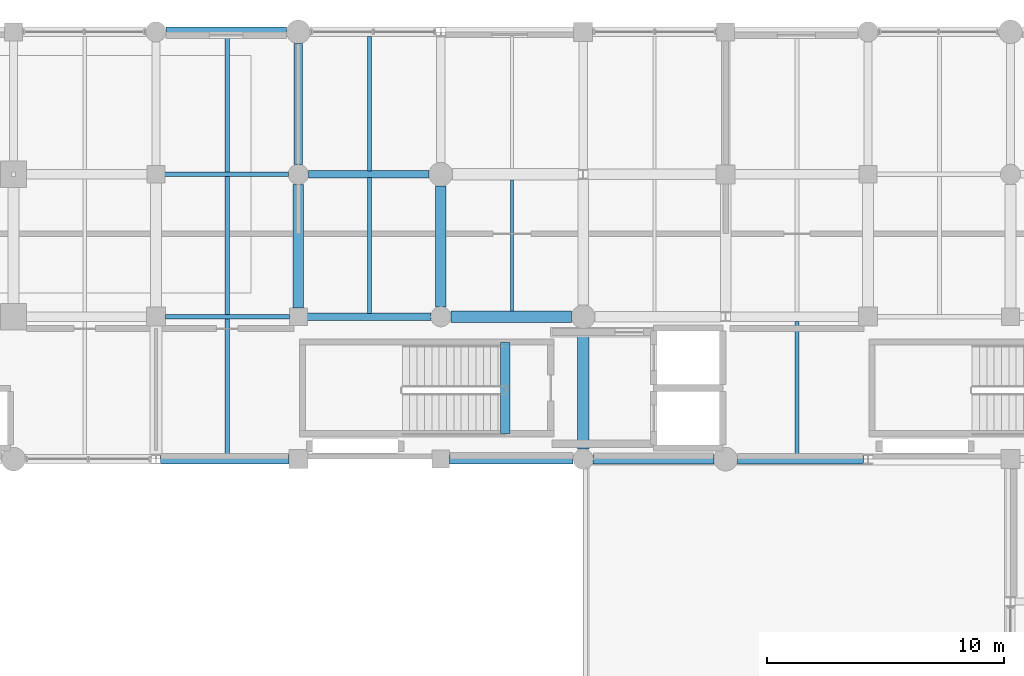
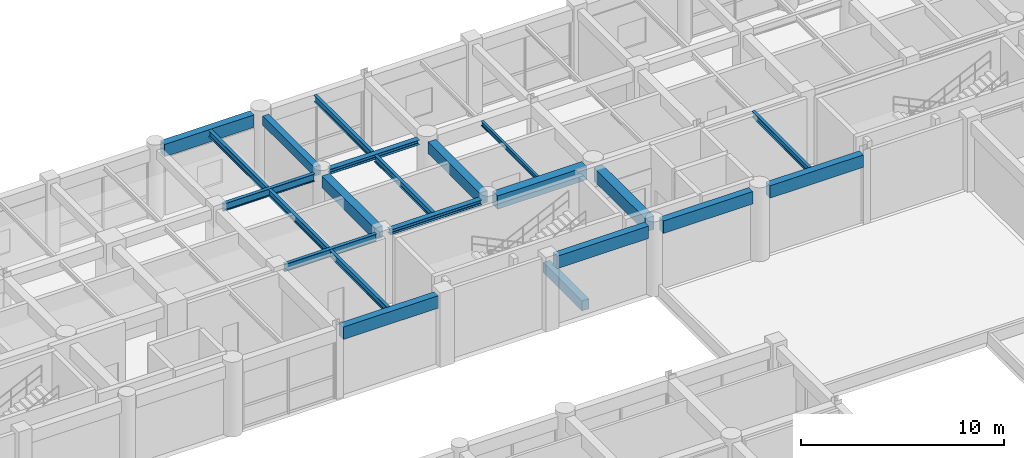
# One storey, part 78 of 133: 22 beams.
"""IFC4 building model written with IfcOpenShell, lengths in metres."""

from ifc_helpers import new_model, si_unit, direction, frame, origin, origin_2d, place, context, subcontext, project, spatial, rectangle, i_section, extrude, material, material_profile, profile_set, type_object, element, save


model = new_model("IFC4")

# Units and contexts
model_context = context("Model", 3, precision=1e-05, world=origin(), true_north=direction((0.0, 1.0)))
body_context = subcontext(model_context, "Body", "Model", "MODEL_VIEW")
ifc_project = project(units=[si_unit("LENGTHUNIT", "METRE"), si_unit("AREAUNIT", "SQUARE_METRE"), si_unit("VOLUMEUNIT", "CUBIC_METRE"), si_unit("PLANEANGLEUNIT", "RADIAN"), si_unit("MASSUNIT", "GRAM", prefix="KILO"), si_unit("THERMODYNAMICTEMPERATUREUNIT", "KELVIN"), si_unit("POWERUNIT", "WATT")], contexts=[model_context])

# Site, building, storey
site_placement = place(None, origin())
site = spatial("IfcSite", under=ifc_project, at=site_placement, CompositionType="ELEMENT")
building_placement = place(site_placement, origin())
building = spatial("IfcBuilding", under=site, at=building_placement, Name="Phaisarnlok Congress Hotel", CompositionType="ELEMENT")
storey_placement = place(building_placement, frame((0.0, 0.0, 6.0)))
storey = spatial("IfcBuildingStorey", under=building, at=storey_placement, Name="L01", CompositionType="ELEMENT", Elevation=6.0)

# Beams
ifc_material_1 = material(Name="Concrete C40/50", Category="concrete")
ifc_material_profile_1 = material_profile(ifc_material_1, rectangle(XDim=0.35009765625, YDim=0.550048828125, at=origin_2d()), Name="RC 350x550")
ifc_profile_set_1 = profile_set([ifc_material_profile_1], Name="Concrete C40/50")
beam_type_1 = type_object("IfcBeamType", Name="BM-RC-350x550", PredefinedType="BEAM", material=ifc_profile_set_1)
beam_1_placement = place(storey_placement, frame((132.0, 120.419921875, 3.945068359375), z_axis=(0.0, 1.0, 0.0), x_axis=(-1.0, 0.0, 0.0)))
element("IfcBeam", 1, at=beam_1_placement, inside=storey, type_object=beam_type_1, Name="Beam B-01", PredefinedType="BEAM", context=body_context, shape_type="SweptSolid", body=[
    extrude(rectangle(XDim=0.35009765625, YDim=0.550048828125, at=origin_2d()), origin(), (0.0, 0.0, 1.0), 5.0849609375),
])
ifc_material_profile_2 = material_profile(ifc_material_1, rectangle(XDim=0.39990234375, YDim=0.60009765625, at=origin_2d()), Name="RC 400x600")
ifc_profile_set_2 = profile_set([ifc_material_profile_2], Name="Concrete C40/50")
beam_type_2 = type_object("IfcBeamType", Name="BM-RC-400x600", PredefinedType="BEAM", material=ifc_profile_set_2)
beam_2_placement = place(storey_placement, frame((140.719970703125, 109.080078125, -0.300048828125), z_axis=(0.0, 1.0, 0.0), x_axis=(-1.0, 0.0, 0.0)))
element("IfcBeam", 2, at=beam_2_placement, inside=storey, type_object=beam_type_2, Name="Stair landing header beam B-02 (CORE-2 L01)", PredefinedType="BEAM", context=body_context, shape_type="SweptSolid", body=[
    extrude(rectangle(XDim=0.39990234375, YDim=0.60009765625, at=origin_2d()), origin(), (0.0, 0.0, 1.0), 3.83984375),
])
ifc_material_profile_3 = material_profile(ifc_material_1, rectangle(XDim=0.449951171875, YDim=0.699951171875, at=origin_2d()), Name="RC 450x700")
ifc_profile_set_3 = profile_set([ifc_material_profile_3], Name="Concrete C40/50")
beam_type_3 = type_object("IfcBeamType", Name="BM-RC-450x700", PredefinedType="BEAM", material=ifc_profile_set_3)
beam_3_placement = place(storey_placement, frame((132.0, 114.3701171875, 3.8701171875), z_axis=(0.0, 1.0, 0.0), x_axis=(-1.0, 0.0, 0.0)))
element("IfcBeam", 3, at=beam_3_placement, inside=storey, type_object=beam_type_3, Name="Beam B-03", PredefinedType="BEAM", context=body_context, shape_type="SweptSolid", body=[
    extrude(rectangle(XDim=0.449951171875, YDim=0.699951171875, at=origin_2d()), origin(), (0.0, 0.0, 1.0), 5.2099609375),
])
beam_4_placement = place(storey_placement, frame((138.0, 114.419921875, 3.8701171875), z_axis=(0.0, 1.0, 0.0), x_axis=(-1.0, 0.0, 0.0)))
element("IfcBeam", 4, at=beam_4_placement, inside=storey, type_object=beam_type_3, Name="Beam B-03", PredefinedType="BEAM", context=body_context, shape_type="SweptSolid", body=[
    extrude(rectangle(XDim=0.449951171875, YDim=0.699951171875, at=origin_2d()), origin(), (0.0, 0.0, 1.0), 5.0849609375),
])
ifc_material_profile_4 = material_profile(ifc_material_1, rectangle(XDim=0.5, YDim=0.800048828125, at=origin_2d()), Name="RC 500x800")
ifc_profile_set_4 = profile_set([ifc_material_profile_4], Name="Concrete C40/50")
beam_type_4 = type_object("IfcBeamType", Name="BM-RC-500x800", PredefinedType="BEAM", material=ifc_profile_set_4)
for number, where, z_axis, x_axis, name in (
    (5, (138.419921875, 114.0, 3.820068359375), (1.0, 0.0, 0.0), (0.0, 1.0, 0.0), "Beam B-04"),
    (6, (144.0, 108.419921875, 3.820068359375), (0.0, 1.0, 0.0), (-1.0, 0.0, 0.0), "Beam B-04"),
):
    element("IfcBeam", number, at=place(storey_placement, frame(where, z_axis=z_axis, x_axis=x_axis)), inside=storey, type_object=beam_type_4, Name=name, PredefinedType="BEAM", context=body_context, shape_type="SweptSolid", body=[
        extrude(rectangle(XDim=0.5, YDim=0.800048828125, at=origin_2d()), origin(), (0.0, 0.0, 1.0), 5.0849609375),
    ])
ifc_material_2 = material(Name="Steel S355", Category="steel")
ifc_material_profile_5 = material_profile(ifc_material_2, i_section(OverallWidth=0.300048828125, OverallDepth=0.2900390625, WebThickness=0.008544921875, FlangeThickness=0.013916015625, FilletRadius=0.027099609375, at=origin_2d()), Name="HEA 300")
ifc_profile_set_5 = profile_set([ifc_material_profile_5], Name="Steel S355")
beam_type_5 = type_object("IfcBeamType", Name="BM-STL-HEA300", PredefinedType="BEAM", material=ifc_profile_set_5)
beam_5_placement = place(storey_placement, frame((132.3701171875, 114.0, 4.074951171875), z_axis=(1.0, 0.0, 0.0), x_axis=(0.0, 1.0, 0.0)))
element("IfcBeam", 7, at=beam_5_placement, inside=storey, type_object=beam_type_5, Name="Beam SB-05", PredefinedType="BEAM", context=body_context, shape_type="SweptSolid", body=[
    extrude(i_section(OverallWidth=0.300048828125, OverallDepth=0.2900390625, WebThickness=0.008544921875, FlangeThickness=0.013916015625, FilletRadius=0.027099609375, at=origin_2d()), origin(), (0.0, 0.0, 1.0), 5.2099609375),
])
beam_6_placement = place(storey_placement, frame((132.419921875, 120.0, 4.074951171875), z_axis=(1.0, 0.0, 0.0), x_axis=(0.0, 1.0, 0.0)))
element("IfcBeam", 8, at=beam_6_placement, inside=storey, type_object=beam_type_5, Name="Beam SB-05", PredefinedType="BEAM", context=body_context, shape_type="SweptSolid", body=[
    extrude(i_section(OverallWidth=0.300048828125, OverallDepth=0.2900390625, WebThickness=0.008544921875, FlangeThickness=0.013916015625, FilletRadius=0.027099609375, at=origin_2d()), origin(), (0.0, 0.0, 1.0), 5.0849609375),
])
ifc_material_profile_6 = material_profile(ifc_material_2, i_section(OverallWidth=0.18994140625, OverallDepth=0.449951171875, WebThickness=0.009521484375, FlangeThickness=0.0146484375, FilletRadius=0.02099609375, at=origin_2d()), Name="IPE 450")
ifc_profile_set_6 = profile_set([ifc_material_profile_6], Name="Steel S355")
beam_type_6 = type_object("IfcBeamType", Name="BM-STL-IPE450", PredefinedType="BEAM", material=ifc_profile_set_6)
beam_7_placement = place(storey_placement, frame((126.39501953125, 114.0, 3.9951171875), z_axis=(1.0, 0.0, 0.0), x_axis=(0.0, 1.0, 0.0)))
element("IfcBeam", 9, at=beam_7_placement, inside=storey, type_object=beam_type_6, Name="Beam SB-01", PredefinedType="BEAM", context=body_context, shape_type="SweptSolid", body=[
    extrude(i_section(OverallWidth=0.18994140625, OverallDepth=0.449951171875, WebThickness=0.009521484375, FlangeThickness=0.0146484375, FilletRadius=0.02099609375, at=origin_2d()), origin(), (0.0, 0.0, 1.0), 5.23486328125),
])
beam_8_placement = place(storey_placement, frame((126.3701171875, 120.0, 3.9951171875), z_axis=(1.0, 0.0, 0.0), x_axis=(0.0, 1.0, 0.0)))
element("IfcBeam", 10, at=beam_8_placement, inside=storey, type_object=beam_type_6, Name="Beam SB-01", PredefinedType="BEAM", context=body_context, shape_type="SweptSolid", body=[
    extrude(i_section(OverallWidth=0.18994140625, OverallDepth=0.449951171875, WebThickness=0.009521484375, FlangeThickness=0.0146484375, FilletRadius=0.02099609375, at=origin_2d()), origin(), (0.0, 0.0, 1.0), 5.2099609375),
])
ifc_material_profile_7 = material_profile(ifc_material_2, i_section(OverallWidth=0.135009765625, OverallDepth=0.27001953125, WebThickness=0.006591796875, FlangeThickness=0.01025390625, FilletRadius=0.014892578125, at=origin_2d()), Name="IPE 270")
ifc_profile_set_7 = profile_set([ifc_material_profile_7], Name="Steel S355")
beam_type_7 = type_object("IfcBeamType", Name="JS-STL-IPE270", PredefinedType="JOIST", material=ifc_profile_set_7)
beam_9_placement = place(storey_placement, frame((141.0, 114.2451171875, 4.0849609375), z_axis=(0.0, 1.0, 0.0), x_axis=(-1.0, 0.0, 0.0)))
element("IfcBeam", 11, at=beam_9_placement, inside=storey, type_object=beam_type_7, Name="Secondary floor joist J-02", PredefinedType="JOIST", context=body_context, shape_type="SweptSolid", body=[
    extrude(i_section(OverallWidth=0.135009765625, OverallDepth=0.27001953125, WebThickness=0.006591796875, FlangeThickness=0.01025390625, FilletRadius=0.014892578125, at=origin_2d()), origin(), (0.0, 0.0, 1.0), 5.509765625),
])
ifc_material_profile_8 = material_profile(ifc_material_2, i_section(OverallWidth=0.169921875, OverallDepth=0.360107421875, WebThickness=0.008056640625, FlangeThickness=0.0126953125, FilletRadius=0.01806640625, at=origin_2d()), Name="IPE 360")
ifc_profile_set_8 = profile_set([ifc_material_profile_8], Name="Steel S355")
beam_type_8 = type_object("IfcBeamType", Name="JS-STL-IPE360", PredefinedType="JOIST", material=ifc_profile_set_8)
beam_10_placement = place(storey_placement, frame((153.0, 108.195068359375, 4.0400390625), z_axis=(0.0, 1.0, 0.0), x_axis=(-1.0, 0.0, 0.0)))
element("IfcBeam", 12, at=beam_10_placement, inside=storey, type_object=beam_type_8, Name="Secondary floor joist J-04", PredefinedType="JOIST", context=body_context, shape_type="SweptSolid", body=[
    extrude(i_section(OverallWidth=0.169921875, OverallDepth=0.360107421875, WebThickness=0.008056640625, FlangeThickness=0.0126953125, FilletRadius=0.01806640625, at=origin_2d()), origin(), (0.0, 0.0, 1.0), 5.60986328125),
])
ifc_material_profile_9 = material_profile(ifc_material_2, i_section(OverallWidth=0.179931640625, OverallDepth=0.39990234375, WebThickness=0.008544921875, FlangeThickness=0.013427734375, FilletRadius=0.02099609375, at=origin_2d()), Name="IPE 400")
ifc_profile_set_9 = profile_set([ifc_material_profile_9], Name="Steel S355")
beam_type_9 = type_object("IfcBeamType", Name="JS-STL-IPE400", PredefinedType="JOIST", material=ifc_profile_set_9)
beam_11_placement = place(storey_placement, frame((129.0, 108.195068359375, 4.02001953125), z_axis=(0.0, 1.0, 0.0), x_axis=(-1.0, 0.0, 0.0)))
element("IfcBeam", 13, at=beam_11_placement, inside=storey, type_object=beam_type_9, Name="Secondary floor joist J-05", PredefinedType="JOIST", context=body_context, shape_type="SweptSolid", body=[
    extrude(i_section(OverallWidth=0.179931640625, OverallDepth=0.39990234375, WebThickness=0.008544921875, FlangeThickness=0.013427734375, FilletRadius=0.02099609375, at=origin_2d()), origin(), (0.0, 0.0, 1.0), 5.71484375),
])
beam_12_placement = place(storey_placement, frame((129.0, 114.090087890625, 4.02001953125), z_axis=(0.0, 1.0, 0.0), x_axis=(-1.0, 0.0, 0.0)))
element("IfcBeam", 14, at=beam_12_placement, inside=storey, type_object=beam_type_9, Name="Secondary floor joist J-05", PredefinedType="JOIST", context=body_context, shape_type="SweptSolid", body=[
    extrude(i_section(OverallWidth=0.179931640625, OverallDepth=0.39990234375, WebThickness=0.008544921875, FlangeThickness=0.013427734375, FilletRadius=0.02099609375, at=origin_2d()), origin(), (0.0, 0.0, 1.0), 5.81982421875),
])
beam_13_placement = place(storey_placement, frame((129.0, 120.090087890625, 4.02001953125), z_axis=(0.0, 1.0, 0.0), x_axis=(-1.0, 0.0, 0.0)))
element("IfcBeam", 15, at=beam_13_placement, inside=storey, type_object=beam_type_9, Name="Secondary floor joist J-05", PredefinedType="JOIST", context=body_context, shape_type="SweptSolid", body=[
    extrude(i_section(OverallWidth=0.179931640625, OverallDepth=0.39990234375, WebThickness=0.008544921875, FlangeThickness=0.013427734375, FilletRadius=0.02099609375, at=origin_2d()), origin(), (0.0, 0.0, 1.0), 5.71484375),
])
beam_14_placement = place(storey_placement, frame((135.0, 114.14501953125, 4.02001953125), z_axis=(0.0, 1.0, 0.0), x_axis=(-1.0, 0.0, 0.0)))
element("IfcBeam", 16, at=beam_14_placement, inside=storey, type_object=beam_type_9, Name="Secondary floor joist J-05", PredefinedType="JOIST", context=body_context, shape_type="SweptSolid", body=[
    extrude(i_section(OverallWidth=0.179931640625, OverallDepth=0.39990234375, WebThickness=0.008544921875, FlangeThickness=0.013427734375, FilletRadius=0.02099609375, at=origin_2d()), origin(), (0.0, 0.0, 1.0), 5.7099609375),
])
beam_15_placement = place(storey_placement, frame((135.0, 120.14501953125, 4.02001953125), z_axis=(0.0, 1.0, 0.0), x_axis=(-1.0, 0.0, 0.0)))
element("IfcBeam", 17, at=beam_15_placement, inside=storey, type_object=beam_type_9, Name="Secondary floor joist J-05", PredefinedType="JOIST", context=body_context, shape_type="SweptSolid", body=[
    extrude(i_section(OverallWidth=0.179931640625, OverallDepth=0.39990234375, WebThickness=0.008544921875, FlangeThickness=0.013427734375, FilletRadius=0.02099609375, at=origin_2d()), origin(), (0.0, 0.0, 1.0), 5.659912109375),
])
ifc_material_profile_10 = material_profile(ifc_material_1, rectangle(XDim=0.39990234375, YDim=0.75, at=origin_2d()), Name="RC 400x750")
ifc_profile_set_10 = profile_set([ifc_material_profile_10], Name="Concrete C40/50")
beam_type_10 = type_object("IfcBeamType", Name="SP-RC-400x750", PredefinedType="SPANDREL", material=ifc_profile_set_10)
beam_16_placement = place(storey_placement, frame((126.195556640625, 108.0, 3.844970703125), z_axis=(1.0, 0.0, 0.0), x_axis=(0.0, 1.0, 0.0)))
element("IfcBeam", 18, at=beam_16_placement, inside=storey, type_object=beam_type_10, Name="Beam SP-02", PredefinedType="SPANDREL", context=body_context, shape_type="SweptSolid", body=[
    extrude(rectangle(XDim=0.39990234375, YDim=0.75, at=origin_2d()), origin(), (0.0, 0.0, 1.0), 5.409423828125),
])
beam_17_placement = place(storey_placement, frame((126.419921875, 126.0, 3.844970703125), z_axis=(1.0, 0.0, 0.0), x_axis=(0.0, 1.0, 0.0)))
element("IfcBeam", 19, at=beam_17_placement, inside=storey, type_object=beam_type_10, Name="Beam SP-02", PredefinedType="SPANDREL", context=body_context, shape_type="SweptSolid", body=[
    extrude(rectangle(XDim=0.39990234375, YDim=0.75, at=origin_2d()), origin(), (0.0, 0.0, 1.0), 5.0849609375),
])
beam_18_placement = place(storey_placement, frame((138.3701171875, 108.0, 3.844970703125), z_axis=(1.0, 0.0, 0.0), x_axis=(0.0, 1.0, 0.0)))
element("IfcBeam", 20, at=beam_18_placement, inside=storey, type_object=beam_type_10, Name="Beam SP-02", PredefinedType="SPANDREL", context=body_context, shape_type="SweptSolid", body=[
    extrude(rectangle(XDim=0.39990234375, YDim=0.75, at=origin_2d()), origin(), (0.0, 0.0, 1.0), 5.2099609375),
])
beam_19_placement = place(storey_placement, frame((144.419921875, 108.0, 3.844970703125), z_axis=(1.0, 0.0, 0.0), x_axis=(0.0, 1.0, 0.0)))
element("IfcBeam", 21, at=beam_19_placement, inside=storey, type_object=beam_type_10, Name="Beam SP-02", PredefinedType="SPANDREL", context=body_context, shape_type="SweptSolid", body=[
    extrude(rectangle(XDim=0.39990234375, YDim=0.75, at=origin_2d()), origin(), (0.0, 0.0, 1.0), 5.0849609375),
])
beam_20_placement = place(storey_placement, frame((150.4951171875, 108.0, 3.844970703125), z_axis=(1.0, 0.0, 0.0), x_axis=(0.0, 1.0, 0.0)))
element("IfcBeam", 22, at=beam_20_placement, inside=storey, type_object=beam_type_10, Name="Beam SP-02", PredefinedType="SPANDREL", context=body_context, shape_type="SweptSolid", body=[
    extrude(rectangle(XDim=0.39990234375, YDim=0.75, at=origin_2d()), origin(), (0.0, 0.0, 1.0), 5.309326171875),
])

save(model, "model.ifc")
